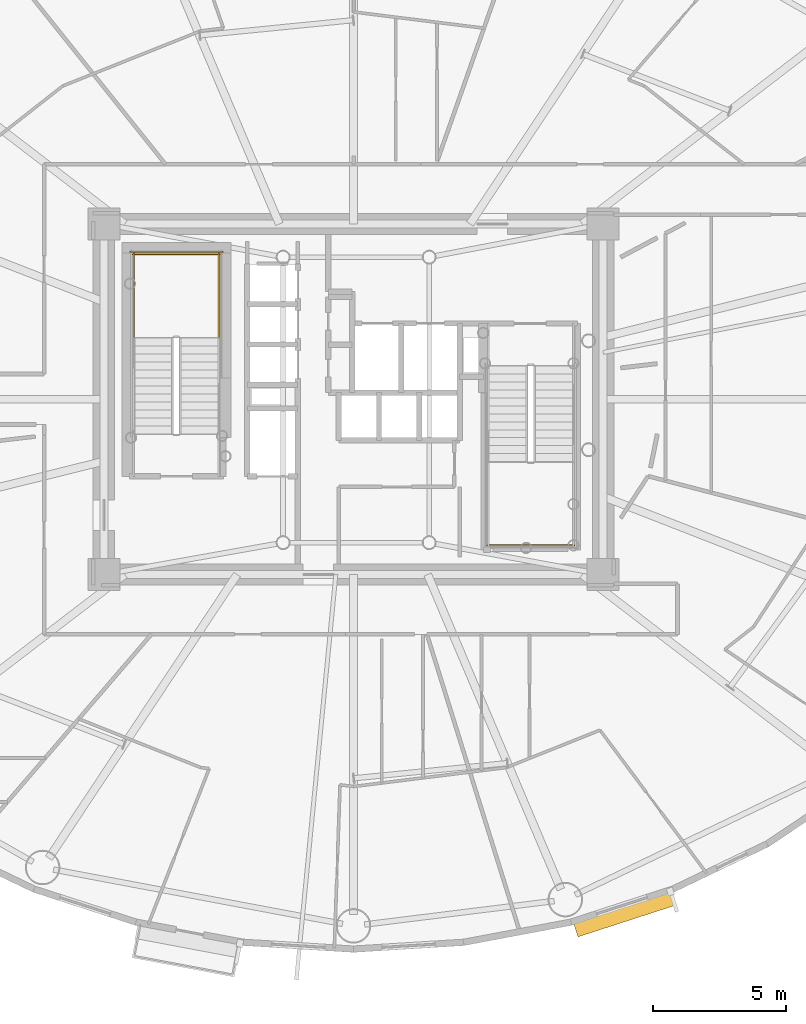
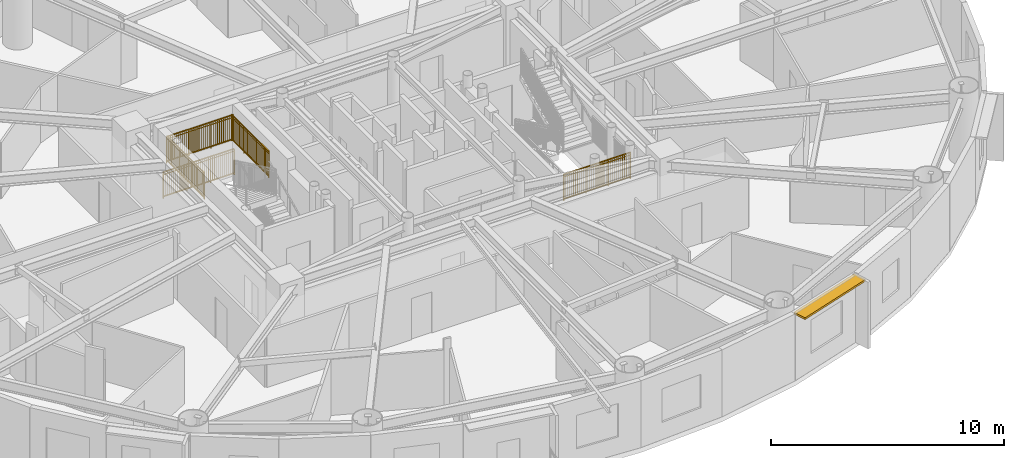
# One storey, part 17 of 19: 5 railings, 1 shading device.
"""IFC4 building model written with IfcOpenShell, lengths in metres."""

from ifc_helpers import new_model, si_unit, direction, frame, origin, origin_2d, place, context, subcontext, project, spatial, rectangle, extrude, source, transform, mapped, material, layer, layer_set, type_object, element, save


model = new_model("IFC4")

# Units and contexts
model_context = context("Model", 3, precision=1e-05, world=origin(), true_north=direction((0.0, 1.0)))
body_context = subcontext(model_context, "Body", "Model", "MODEL_VIEW")
ifc_project = project(units=[si_unit("LENGTHUNIT", "METRE"), si_unit("AREAUNIT", "SQUARE_METRE"), si_unit("VOLUMEUNIT", "CUBIC_METRE"), si_unit("PLANEANGLEUNIT", "RADIAN"), si_unit("MASSUNIT", "GRAM", prefix="KILO")], contexts=[model_context])

# Site, building, storey
site_placement = place(None, origin())
site = spatial("IfcSite", under=ifc_project, at=site_placement, CompositionType="ELEMENT")
building_placement = place(site_placement, origin())
building = spatial("IfcBuilding", under=site, at=building_placement, Name="Linh Dai School and Residence Tower", CompositionType="ELEMENT")
storey_placement = place(building_placement, frame((0.0, 0.0, 174.89990234375)))
storey = spatial("IfcBuildingStorey", under=building, at=storey_placement, Name="L42", CompositionType="ELEMENT", Elevation=174.89990234375)

# Shading device
ifc_material_1 = material(Name="Terracotta Ceramic Sunshade", Category="masonry")
ifc_layer = layer(ifc_material_1, 0.10009765625)
ifc_layer_set = layer_set([ifc_layer], Name="Terracotta Ceramic Sunshade")
shading_device_type = type_object("IfcShadingDeviceType", Name="SHD-TC-650", PredefinedType="USERDEFINED", material=ifc_layer_set)
shared_shape_1 = source(origin(), body_context, "Body", "SweptSolid", [
    extrude(rectangle(XDim=3.876220703125, YDim=0.64990234375, at=origin_2d()), origin(), (0.0, 0.0, 1.0), 0.10009765625),
])
shading_device_placement = place(storey_placement, frame((46.197265625, 7.662353515625, 3.380126953125), z_axis=(0.0, 0.0, 1.0), x_axis=(-0.951212761419, -0.308535707031, 0.0)))
element("IfcShadingDevice", 1, at=shading_device_placement, inside=storey, type_object=shading_device_type, Name="L42 Terracotta Horizontal Sunshade Band 33", ObjectType="SUNSHADE", PredefinedType="USERDEFINED", context=body_context, shape_type="MappedRepresentation", body=[
    mapped(shared_shape_1, transform((0.0, 0.0, 0.0), x_axis=(1.0, 0.0, 0.0), y_axis=(0.0, 1.0, 0.0), z_axis=(0.0, 0.0, 1.0), scale=1.0)),
])

# Railings
ifc_material_2 = material(Name="Structural Steel S355JR", Category="steel")
railing_type = type_object("IfcRailingType", Name="RL-ST-GUARD-1400", PredefinedType="GUARDRAIL", material=ifc_material_2)
shared_shape_2 = source(origin(), body_context, "Body", "SweptSolid", [
    extrude(rectangle(XDim=0.048095703125, YDim=0.048095703125, at=origin_2d()), frame((0.0, 0.0, 1.3759765625), z_axis=(-1.0, 0.0, 0.0), x_axis=(0.0, -1.0, 0.0)), (0.0, 0.0, 1.0), 3.300048828125),
    extrude(rectangle(XDim=0.048095703125, YDim=0.048095703125, at=origin_2d()), frame((0.0, 0.0, 0.10009765625), z_axis=(-1.0, 0.0, 0.0), x_axis=(0.0, -1.0, 0.0)), (0.0, 0.0, 1.0), 3.300048828125),
    extrude(rectangle(XDim=0.030029296875, YDim=0.030029296875, at=origin_2d()), frame((0.0, 0.0, 1.239990234375), z_axis=(-1.0, 0.0, 0.0), x_axis=(0.0, -1.0, 0.0)), (0.0, 0.0, 1.0), 3.300048828125),
    extrude(rectangle(XDim=0.02001953125, YDim=0.02001953125, at=origin_2d()), frame((-0.09716796875, 0.0, 0.10009765625)), (0.0, 0.0, 1.0), 1.251708984375),
    extrude(rectangle(XDim=0.02001953125, YDim=0.02001953125, at=origin_2d()), frame((-0.194091796875, 0.0, 0.10009765625)), (0.0, 0.0, 1.0), 1.251708984375),
    extrude(rectangle(XDim=0.02001953125, YDim=0.02001953125, at=origin_2d()), frame((-0.291259765625, 0.0, 0.10009765625)), (0.0, 0.0, 1.0), 1.251708984375),
    extrude(rectangle(XDim=0.02001953125, YDim=0.02001953125, at=origin_2d()), frame((-0.38818359375, 0.0, 0.10009765625)), (0.0, 0.0, 1.0), 1.251708984375),
    extrude(rectangle(XDim=0.02001953125, YDim=0.02001953125, at=origin_2d()), frame((-0.4853515625, 0.0, 0.10009765625)), (0.0, 0.0, 1.0), 1.251708984375),
    extrude(rectangle(XDim=0.02001953125, YDim=0.02001953125, at=origin_2d()), frame((-0.582275390625, 0.0, 0.10009765625)), (0.0, 0.0, 1.0), 1.251708984375),
    extrude(rectangle(XDim=0.02001953125, YDim=0.02001953125, at=origin_2d()), frame((-0.679443359375, 0.0, 0.10009765625)), (0.0, 0.0, 1.0), 1.251708984375),
    extrude(rectangle(XDim=0.02001953125, YDim=0.02001953125, at=origin_2d()), frame((-0.7763671875, 0.0, 0.10009765625)), (0.0, 0.0, 1.0), 1.251708984375),
    extrude(rectangle(XDim=0.02001953125, YDim=0.02001953125, at=origin_2d()), frame((-0.87353515625, 0.0, 0.10009765625)), (0.0, 0.0, 1.0), 1.251708984375),
    extrude(rectangle(XDim=0.02001953125, YDim=0.02001953125, at=origin_2d()), frame((-0.970703125, 0.0, 0.10009765625)), (0.0, 0.0, 1.0), 1.251708984375),
    extrude(rectangle(XDim=0.02001953125, YDim=0.02001953125, at=origin_2d()), frame((-1.164794921875, 0.0, 0.10009765625)), (0.0, 0.0, 1.0), 1.251708984375),
    extrude(rectangle(XDim=0.02001953125, YDim=0.02001953125, at=origin_2d()), frame((-1.26171875, 0.0, 0.10009765625)), (0.0, 0.0, 1.0), 1.251708984375),
    extrude(rectangle(XDim=0.02001953125, YDim=0.02001953125, at=origin_2d()), frame((-1.35888671875, 0.0, 0.10009765625)), (0.0, 0.0, 1.0), 1.251708984375),
    extrude(rectangle(XDim=0.02001953125, YDim=0.02001953125, at=origin_2d()), frame((-1.455810546875, 0.0, 0.10009765625)), (0.0, 0.0, 1.0), 1.251708984375),
    extrude(rectangle(XDim=0.02001953125, YDim=0.02001953125, at=origin_2d()), frame((-1.552978515625, 0.0, 0.10009765625)), (0.0, 0.0, 1.0), 1.251708984375),
    extrude(rectangle(XDim=0.02001953125, YDim=0.02001953125, at=origin_2d()), frame((-1.64990234375, 0.0, 0.10009765625)), (0.0, 0.0, 1.0), 1.251708984375),
    extrude(rectangle(XDim=0.02001953125, YDim=0.02001953125, at=origin_2d()), frame((-1.7470703125, 0.0, 0.10009765625)), (0.0, 0.0, 1.0), 1.251708984375),
    extrude(rectangle(XDim=0.02001953125, YDim=0.02001953125, at=origin_2d()), frame((-1.84423828125, 0.0, 0.10009765625)), (0.0, 0.0, 1.0), 1.251708984375),
    extrude(rectangle(XDim=0.02001953125, YDim=0.02001953125, at=origin_2d()), frame((-1.941162109375, 0.0, 0.10009765625)), (0.0, 0.0, 1.0), 1.251708984375),
    extrude(rectangle(XDim=0.02001953125, YDim=0.02001953125, at=origin_2d()), frame((-2.038330078125, 0.0, 0.10009765625)), (0.0, 0.0, 1.0), 1.251708984375),
    extrude(rectangle(XDim=0.02001953125, YDim=0.02001953125, at=origin_2d()), frame((-2.13525390625, 0.0, 0.10009765625)), (0.0, 0.0, 1.0), 1.251708984375),
    extrude(rectangle(XDim=0.02001953125, YDim=0.02001953125, at=origin_2d()), frame((-2.329345703125, 0.0, 0.10009765625)), (0.0, 0.0, 1.0), 1.251708984375),
    extrude(rectangle(XDim=0.02001953125, YDim=0.02001953125, at=origin_2d()), frame((-2.426513671875, 0.0, 0.10009765625)), (0.0, 0.0, 1.0), 1.251708984375),
    extrude(rectangle(XDim=0.02001953125, YDim=0.02001953125, at=origin_2d()), frame((-2.523681640625, 0.0, 0.10009765625)), (0.0, 0.0, 1.0), 1.251708984375),
    extrude(rectangle(XDim=0.02001953125, YDim=0.02001953125, at=origin_2d()), frame((-2.62060546875, 0.0, 0.10009765625)), (0.0, 0.0, 1.0), 1.251708984375),
    extrude(rectangle(XDim=0.02001953125, YDim=0.02001953125, at=origin_2d()), frame((-2.7177734375, 0.0, 0.10009765625)), (0.0, 0.0, 1.0), 1.251708984375),
    extrude(rectangle(XDim=0.02001953125, YDim=0.02001953125, at=origin_2d()), frame((-2.814697265625, 0.0, 0.10009765625)), (0.0, 0.0, 1.0), 1.251708984375),
    extrude(rectangle(XDim=0.02001953125, YDim=0.02001953125, at=origin_2d()), frame((-2.911865234375, 0.0, 0.10009765625)), (0.0, 0.0, 1.0), 1.251708984375),
    extrude(rectangle(XDim=0.02001953125, YDim=0.02001953125, at=origin_2d()), frame((-3.0087890625, 0.0, 0.10009765625)), (0.0, 0.0, 1.0), 1.251708984375),
    extrude(rectangle(XDim=0.02001953125, YDim=0.02001953125, at=origin_2d()), frame((-3.10595703125, 0.0, 0.10009765625)), (0.0, 0.0, 1.0), 1.251708984375),
    extrude(rectangle(XDim=0.02001953125, YDim=0.02001953125, at=origin_2d()), frame((-3.202880859375, 0.0, 0.10009765625)), (0.0, 0.0, 1.0), 1.251708984375),
    extrude(rectangle(XDim=0.0419921875, YDim=0.0419921875, at=origin_2d()), origin(), (0.0, 0.0, 1.0), 1.3759765625),
    extrude(rectangle(XDim=0.0419921875, YDim=0.0419921875, at=origin_2d()), frame((-1.10009765625, 0.0, 0.0)), (0.0, 0.0, 1.0), 1.3759765625),
    extrude(rectangle(XDim=0.0419921875, YDim=0.0419921875, at=origin_2d()), frame((-2.199951171875, 0.0, 0.0)), (0.0, 0.0, 1.0), 1.3759765625),
    extrude(rectangle(XDim=0.0419921875, YDim=0.0419921875, at=origin_2d()), frame((-3.300048828125, 0.0, 0.0)), (0.0, 0.0, 1.0), 1.3759765625),
])
railing_1_placement = place(storey_placement, frame((30.97998046875, 32.449951171875, 1.875)))
element("IfcRailing", 2, at=railing_1_placement, inside=storey, type_object=railing_type, Name="L42 ST1 stair guard 5", PredefinedType="GUARDRAIL", context=body_context, shape_type="MappedRepresentation", body=[
    mapped(shared_shape_2, transform((0.0, 0.0, 0.0), x_axis=(1.0, 0.0, 0.0), y_axis=(0.0, 1.0, 0.0), z_axis=(0.0, 0.0, 1.0), scale=1.0)),
])
shared_shape_3 = source(origin(), body_context, "Body", "SweptSolid", [
    extrude(rectangle(XDim=0.048095703125, YDim=0.048095703125, at=origin_2d()), frame((0.0, 0.0, 1.3759765625), z_axis=(-1.0, 0.0, 0.0), x_axis=(0.0, -1.0, 0.0)), (0.0, 0.0, 1.0), 3.5),
    extrude(rectangle(XDim=0.048095703125, YDim=0.048095703125, at=origin_2d()), frame((0.0, 0.0, 0.10009765625), z_axis=(-1.0, 0.0, 0.0), x_axis=(0.0, -1.0, 0.0)), (0.0, 0.0, 1.0), 3.5),
    extrude(rectangle(XDim=0.030029296875, YDim=0.030029296875, at=origin_2d()), frame((0.0, 0.0, 1.239990234375), z_axis=(-1.0, 0.0, 0.0), x_axis=(0.0, -1.0, 0.0)), (0.0, 0.0, 1.0), 3.5),
    extrude(rectangle(XDim=0.02001953125, YDim=0.02001953125, at=origin_2d()), frame((-0.09716796875, 0.0, 0.10009765625)), (0.0, 0.0, 1.0), 1.251708984375),
    extrude(rectangle(XDim=0.02001953125, YDim=0.02001953125, at=origin_2d()), frame((-0.1943359375, 0.0, 0.10009765625)), (0.0, 0.0, 1.0), 1.251708984375),
    extrude(rectangle(XDim=0.02001953125, YDim=0.02001953125, at=origin_2d()), frame((-0.291748046875, 0.0, 0.10009765625)), (0.0, 0.0, 1.0), 1.251708984375),
    extrude(rectangle(XDim=0.02001953125, YDim=0.02001953125, at=origin_2d()), frame((-0.388916015625, 0.0, 0.10009765625)), (0.0, 0.0, 1.0), 1.251708984375),
    extrude(rectangle(XDim=0.02001953125, YDim=0.02001953125, at=origin_2d()), frame((-0.486083984375, 0.0, 0.10009765625)), (0.0, 0.0, 1.0), 1.251708984375),
    extrude(rectangle(XDim=0.02001953125, YDim=0.02001953125, at=origin_2d()), frame((-0.583251953125, 0.0, 0.10009765625)), (0.0, 0.0, 1.0), 1.251708984375),
    extrude(rectangle(XDim=0.02001953125, YDim=0.02001953125, at=origin_2d()), frame((-0.6806640625, 0.0, 0.10009765625)), (0.0, 0.0, 1.0), 1.251708984375),
    extrude(rectangle(XDim=0.02001953125, YDim=0.02001953125, at=origin_2d()), frame((-0.77783203125, 0.0, 0.10009765625)), (0.0, 0.0, 1.0), 1.251708984375),
    extrude(rectangle(XDim=0.02001953125, YDim=0.02001953125, at=origin_2d()), frame((-0.875, 0.0, 0.10009765625)), (0.0, 0.0, 1.0), 1.251708984375),
    extrude(rectangle(XDim=0.02001953125, YDim=0.02001953125, at=origin_2d()), frame((-0.97216796875, 0.0, 0.10009765625)), (0.0, 0.0, 1.0), 1.251708984375),
    extrude(rectangle(XDim=0.02001953125, YDim=0.02001953125, at=origin_2d()), frame((-1.0693359375, 0.0, 0.10009765625)), (0.0, 0.0, 1.0), 1.251708984375),
    extrude(rectangle(XDim=0.02001953125, YDim=0.02001953125, at=origin_2d()), frame((-1.263916015625, 0.0, 0.10009765625)), (0.0, 0.0, 1.0), 1.251708984375),
    extrude(rectangle(XDim=0.02001953125, YDim=0.02001953125, at=origin_2d()), frame((-1.361083984375, 0.0, 0.10009765625)), (0.0, 0.0, 1.0), 1.251708984375),
    extrude(rectangle(XDim=0.02001953125, YDim=0.02001953125, at=origin_2d()), frame((-1.458251953125, 0.0, 0.10009765625)), (0.0, 0.0, 1.0), 1.251708984375),
    extrude(rectangle(XDim=0.02001953125, YDim=0.02001953125, at=origin_2d()), frame((-1.5556640625, 0.0, 0.10009765625)), (0.0, 0.0, 1.0), 1.251708984375),
    extrude(rectangle(XDim=0.02001953125, YDim=0.02001953125, at=origin_2d()), frame((-1.65283203125, 0.0, 0.10009765625)), (0.0, 0.0, 1.0), 1.251708984375),
    extrude(rectangle(XDim=0.02001953125, YDim=0.02001953125, at=origin_2d()), frame((-1.75, 0.0, 0.10009765625)), (0.0, 0.0, 1.0), 1.251708984375),
    extrude(rectangle(XDim=0.02001953125, YDim=0.02001953125, at=origin_2d()), frame((-1.84716796875, 0.0, 0.10009765625)), (0.0, 0.0, 1.0), 1.251708984375),
    extrude(rectangle(XDim=0.02001953125, YDim=0.02001953125, at=origin_2d()), frame((-1.9443359375, 0.0, 0.10009765625)), (0.0, 0.0, 1.0), 1.251708984375),
    extrude(rectangle(XDim=0.02001953125, YDim=0.02001953125, at=origin_2d()), frame((-2.041748046875, 0.0, 0.10009765625)), (0.0, 0.0, 1.0), 1.251708984375),
    extrude(rectangle(XDim=0.02001953125, YDim=0.02001953125, at=origin_2d()), frame((-2.138916015625, 0.0, 0.10009765625)), (0.0, 0.0, 1.0), 1.251708984375),
    extrude(rectangle(XDim=0.02001953125, YDim=0.02001953125, at=origin_2d()), frame((-2.236083984375, 0.0, 0.10009765625)), (0.0, 0.0, 1.0), 1.251708984375),
    extrude(rectangle(XDim=0.02001953125, YDim=0.02001953125, at=origin_2d()), frame((-2.4306640625, 0.0, 0.10009765625)), (0.0, 0.0, 1.0), 1.251708984375),
    extrude(rectangle(XDim=0.02001953125, YDim=0.02001953125, at=origin_2d()), frame((-2.52783203125, 0.0, 0.10009765625)), (0.0, 0.0, 1.0), 1.251708984375),
    extrude(rectangle(XDim=0.02001953125, YDim=0.02001953125, at=origin_2d()), frame((-2.625, 0.0, 0.10009765625)), (0.0, 0.0, 1.0), 1.251708984375),
    extrude(rectangle(XDim=0.02001953125, YDim=0.02001953125, at=origin_2d()), frame((-2.72216796875, 0.0, 0.10009765625)), (0.0, 0.0, 1.0), 1.251708984375),
    extrude(rectangle(XDim=0.02001953125, YDim=0.02001953125, at=origin_2d()), frame((-2.8193359375, 0.0, 0.10009765625)), (0.0, 0.0, 1.0), 1.251708984375),
    extrude(rectangle(XDim=0.02001953125, YDim=0.02001953125, at=origin_2d()), frame((-2.916748046875, 0.0, 0.10009765625)), (0.0, 0.0, 1.0), 1.251708984375),
    extrude(rectangle(XDim=0.02001953125, YDim=0.02001953125, at=origin_2d()), frame((-3.013916015625, 0.0, 0.10009765625)), (0.0, 0.0, 1.0), 1.251708984375),
    extrude(rectangle(XDim=0.02001953125, YDim=0.02001953125, at=origin_2d()), frame((-3.111083984375, 0.0, 0.10009765625)), (0.0, 0.0, 1.0), 1.251708984375),
    extrude(rectangle(XDim=0.02001953125, YDim=0.02001953125, at=origin_2d()), frame((-3.208251953125, 0.0, 0.10009765625)), (0.0, 0.0, 1.0), 1.251708984375),
    extrude(rectangle(XDim=0.02001953125, YDim=0.02001953125, at=origin_2d()), frame((-3.3056640625, 0.0, 0.10009765625)), (0.0, 0.0, 1.0), 1.251708984375),
    extrude(rectangle(XDim=0.02001953125, YDim=0.02001953125, at=origin_2d()), frame((-3.40283203125, 0.0, 0.10009765625)), (0.0, 0.0, 1.0), 1.251708984375),
    extrude(rectangle(XDim=0.0419921875, YDim=0.0419921875, at=origin_2d()), origin(), (0.0, 0.0, 1.0), 1.3759765625),
    extrude(rectangle(XDim=0.0419921875, YDim=0.0419921875, at=origin_2d()), frame((-1.166748046875, 0.0, 0.0)), (0.0, 0.0, 1.0), 1.3759765625),
    extrude(rectangle(XDim=0.0419921875, YDim=0.0419921875, at=origin_2d()), frame((-2.333251953125, 0.0, 0.0)), (0.0, 0.0, 1.0), 1.3759765625),
    extrude(rectangle(XDim=0.0419921875, YDim=0.0419921875, at=origin_2d()), frame((-3.5, 0.0, 0.0)), (0.0, 0.0, 1.0), 1.3759765625),
])
railing_2_placement = place(storey_placement, frame((31.080078125, 32.550048828125, 0.0)))
element("IfcRailing", 3, at=railing_2_placement, inside=storey, type_object=railing_type, Name="L42 ST1 stair guard 12", PredefinedType="GUARDRAIL", context=body_context, shape_type="MappedRepresentation", body=[
    mapped(shared_shape_3, transform((0.0, 0.0, 0.0), x_axis=(1.0, 0.0, 0.0), y_axis=(0.0, 1.0, 0.0), z_axis=(0.0, 0.0, 1.0), scale=1.0)),
])
shared_shape_4 = source(origin(), body_context, "Body", "SweptSolid", [
    extrude(rectangle(XDim=0.048095703125, YDim=0.048095703125, at=origin_2d()), frame((0.0, 0.0, 1.3759765625), z_axis=(0.0, 1.0, 0.0), x_axis=(-1.0, 0.0, 0.0)), (0.0, 0.0, 1.0), 3.199951171875),
    extrude(rectangle(XDim=0.048095703125, YDim=0.048095703125, at=origin_2d()), frame((0.0, 0.0, 0.10009765625), z_axis=(0.0, 1.0, 0.0), x_axis=(-1.0, 0.0, 0.0)), (0.0, 0.0, 1.0), 3.199951171875),
    extrude(rectangle(XDim=0.030029296875, YDim=0.030029296875, at=origin_2d()), frame((0.0, 0.0, 1.239990234375), z_axis=(0.0, 1.0, 0.0), x_axis=(-1.0, 0.0, 0.0)), (0.0, 0.0, 1.0), 3.199951171875),
    extrude(rectangle(XDim=0.02001953125, YDim=0.02001953125, at=origin_2d()), frame((0.0, 0.096923828125, 0.10009765625)), (0.0, 0.0, 1.0), 1.251708984375),
    extrude(rectangle(XDim=0.02001953125, YDim=0.02001953125, at=origin_2d()), frame((0.0, 0.19384765625, 0.10009765625)), (0.0, 0.0, 1.0), 1.251708984375),
    extrude(rectangle(XDim=0.02001953125, YDim=0.02001953125, at=origin_2d()), frame((0.0, 0.291015625, 0.10009765625)), (0.0, 0.0, 1.0), 1.251708984375),
    extrude(rectangle(XDim=0.02001953125, YDim=0.02001953125, at=origin_2d()), frame((0.0, 0.387939453125, 0.10009765625)), (0.0, 0.0, 1.0), 1.251708984375),
    extrude(rectangle(XDim=0.02001953125, YDim=0.02001953125, at=origin_2d()), frame((0.0, 0.48486328125, 0.10009765625)), (0.0, 0.0, 1.0), 1.251708984375),
    extrude(rectangle(XDim=0.02001953125, YDim=0.02001953125, at=origin_2d()), frame((0.0, 0.581787109375, 0.10009765625)), (0.0, 0.0, 1.0), 1.251708984375),
    extrude(rectangle(XDim=0.02001953125, YDim=0.02001953125, at=origin_2d()), frame((0.0, 0.6787109375, 0.10009765625)), (0.0, 0.0, 1.0), 1.251708984375),
    extrude(rectangle(XDim=0.02001953125, YDim=0.02001953125, at=origin_2d()), frame((0.0, 0.775634765625, 0.10009765625)), (0.0, 0.0, 1.0), 1.251708984375),
    extrude(rectangle(XDim=0.02001953125, YDim=0.02001953125, at=origin_2d()), frame((0.0, 0.872802734375, 0.10009765625)), (0.0, 0.0, 1.0), 1.251708984375),
    extrude(rectangle(XDim=0.02001953125, YDim=0.02001953125, at=origin_2d()), frame((0.0, 0.9697265625, 0.10009765625)), (0.0, 0.0, 1.0), 1.251708984375),
    extrude(rectangle(XDim=0.02001953125, YDim=0.02001953125, at=origin_2d()), frame((0.0, 1.16357421875, 0.10009765625)), (0.0, 0.0, 1.0), 1.251708984375),
    extrude(rectangle(XDim=0.02001953125, YDim=0.02001953125, at=origin_2d()), frame((0.0, 1.260498046875, 0.10009765625)), (0.0, 0.0, 1.0), 1.251708984375),
    extrude(rectangle(XDim=0.02001953125, YDim=0.02001953125, at=origin_2d()), frame((0.0, 1.357666015625, 0.10009765625)), (0.0, 0.0, 1.0), 1.251708984375),
    extrude(rectangle(XDim=0.02001953125, YDim=0.02001953125, at=origin_2d()), frame((0.0, 1.45458984375, 0.10009765625)), (0.0, 0.0, 1.0), 1.251708984375),
    extrude(rectangle(XDim=0.02001953125, YDim=0.02001953125, at=origin_2d()), frame((0.0, 1.551513671875, 0.10009765625)), (0.0, 0.0, 1.0), 1.251708984375),
    extrude(rectangle(XDim=0.02001953125, YDim=0.02001953125, at=origin_2d()), frame((0.0, 1.6484375, 0.10009765625)), (0.0, 0.0, 1.0), 1.251708984375),
    extrude(rectangle(XDim=0.02001953125, YDim=0.02001953125, at=origin_2d()), frame((0.0, 1.745361328125, 0.10009765625)), (0.0, 0.0, 1.0), 1.251708984375),
    extrude(rectangle(XDim=0.02001953125, YDim=0.02001953125, at=origin_2d()), frame((0.0, 1.84228515625, 0.10009765625)), (0.0, 0.0, 1.0), 1.251708984375),
    extrude(rectangle(XDim=0.02001953125, YDim=0.02001953125, at=origin_2d()), frame((0.0, 1.939453125, 0.10009765625)), (0.0, 0.0, 1.0), 1.251708984375),
    extrude(rectangle(XDim=0.02001953125, YDim=0.02001953125, at=origin_2d()), frame((0.0, 2.036376953125, 0.10009765625)), (0.0, 0.0, 1.0), 1.251708984375),
    extrude(rectangle(XDim=0.02001953125, YDim=0.02001953125, at=origin_2d()), frame((0.0, 2.230224609375, 0.10009765625)), (0.0, 0.0, 1.0), 1.251708984375),
    extrude(rectangle(XDim=0.02001953125, YDim=0.02001953125, at=origin_2d()), frame((0.0, 2.3271484375, 0.10009765625)), (0.0, 0.0, 1.0), 1.251708984375),
    extrude(rectangle(XDim=0.02001953125, YDim=0.02001953125, at=origin_2d()), frame((0.0, 2.42431640625, 0.10009765625)), (0.0, 0.0, 1.0), 1.251708984375),
    extrude(rectangle(XDim=0.02001953125, YDim=0.02001953125, at=origin_2d()), frame((0.0, 2.521240234375, 0.10009765625)), (0.0, 0.0, 1.0), 1.251708984375),
    extrude(rectangle(XDim=0.02001953125, YDim=0.02001953125, at=origin_2d()), frame((0.0, 2.6181640625, 0.10009765625)), (0.0, 0.0, 1.0), 1.251708984375),
    extrude(rectangle(XDim=0.02001953125, YDim=0.02001953125, at=origin_2d()), frame((0.0, 2.715087890625, 0.10009765625)), (0.0, 0.0, 1.0), 1.251708984375),
    extrude(rectangle(XDim=0.02001953125, YDim=0.02001953125, at=origin_2d()), frame((0.0, 2.81201171875, 0.10009765625)), (0.0, 0.0, 1.0), 1.251708984375),
    extrude(rectangle(XDim=0.02001953125, YDim=0.02001953125, at=origin_2d()), frame((0.0, 2.908935546875, 0.10009765625)), (0.0, 0.0, 1.0), 1.251708984375),
    extrude(rectangle(XDim=0.02001953125, YDim=0.02001953125, at=origin_2d()), frame((0.0, 3.006103515625, 0.10009765625)), (0.0, 0.0, 1.0), 1.251708984375),
    extrude(rectangle(XDim=0.02001953125, YDim=0.02001953125, at=origin_2d()), frame((0.0, 3.10302734375, 0.10009765625)), (0.0, 0.0, 1.0), 1.251708984375),
    extrude(rectangle(XDim=0.0419921875, YDim=0.0419921875, at=origin_2d()), origin(), (0.0, 0.0, 1.0), 1.3759765625),
    extrude(rectangle(XDim=0.0419921875, YDim=0.0419921875, at=origin_2d()), frame((0.0, 1.066650390625, 0.0)), (0.0, 0.0, 1.0), 1.3759765625),
    extrude(rectangle(XDim=0.0419921875, YDim=0.0419921875, at=origin_2d()), frame((0.0, 2.13330078125, 0.0)), (0.0, 0.0, 1.0), 1.3759765625),
    extrude(rectangle(XDim=0.0419921875, YDim=0.0419921875, at=origin_2d()), frame((0.0, 3.199951171875, 0.0)), (0.0, 0.0, 1.0), 1.3759765625),
])
for number, where, name in (
    (4, (30.929931640625, 29.300048828125, 1.875), "L42 ST1 stair guard 3"),
    (5, (27.72998046875, 29.300048828125, 1.875), "L42 ST1 stair guard 4"),
):
    element("IfcRailing", number, at=place(storey_placement, frame(where)), inside=storey, type_object=railing_type, Name=name, PredefinedType="GUARDRAIL", context=body_context, shape_type="MappedRepresentation", body=[
        mapped(shared_shape_4, transform((0.0, 0.0, 0.0), x_axis=(1.0, 0.0, 0.0), y_axis=(0.0, 1.0, 0.0), z_axis=(0.0, 0.0, 1.0), scale=1.0)),
    ])
shared_shape_5 = source(origin(), body_context, "Body", "SweptSolid", [
    extrude(rectangle(XDim=0.048095703125, YDim=0.048095703125, at=origin_2d()), frame((0.0, 0.0, 1.3759765625), z_axis=(1.0, 0.0, 0.0), x_axis=(0.0, 1.0, 0.0)), (0.0, 0.0, 1.0), 3.300048828125),
    extrude(rectangle(XDim=0.048095703125, YDim=0.048095703125, at=origin_2d()), frame((0.0, 0.0, 0.10009765625), z_axis=(1.0, 0.0, 0.0), x_axis=(0.0, 1.0, 0.0)), (0.0, 0.0, 1.0), 3.300048828125),
    extrude(rectangle(XDim=0.030029296875, YDim=0.030029296875, at=origin_2d()), frame((0.0, 0.0, 1.239990234375), z_axis=(1.0, 0.0, 0.0), x_axis=(0.0, 1.0, 0.0)), (0.0, 0.0, 1.0), 3.300048828125),
    extrude(rectangle(XDim=0.02001953125, YDim=0.02001953125, at=origin_2d()), frame((0.09716796875, 0.0, 0.10009765625)), (0.0, 0.0, 1.0), 1.251708984375),
    extrude(rectangle(XDim=0.02001953125, YDim=0.02001953125, at=origin_2d()), frame((0.194091796875, 0.0, 0.10009765625)), (0.0, 0.0, 1.0), 1.251708984375),
    extrude(rectangle(XDim=0.02001953125, YDim=0.02001953125, at=origin_2d()), frame((0.291259765625, 0.0, 0.10009765625)), (0.0, 0.0, 1.0), 1.251708984375),
    extrude(rectangle(XDim=0.02001953125, YDim=0.02001953125, at=origin_2d()), frame((0.38818359375, 0.0, 0.10009765625)), (0.0, 0.0, 1.0), 1.251708984375),
    extrude(rectangle(XDim=0.02001953125, YDim=0.02001953125, at=origin_2d()), frame((0.4853515625, 0.0, 0.10009765625)), (0.0, 0.0, 1.0), 1.251708984375),
    extrude(rectangle(XDim=0.02001953125, YDim=0.02001953125, at=origin_2d()), frame((0.582275390625, 0.0, 0.10009765625)), (0.0, 0.0, 1.0), 1.251708984375),
    extrude(rectangle(XDim=0.02001953125, YDim=0.02001953125, at=origin_2d()), frame((0.679443359375, 0.0, 0.10009765625)), (0.0, 0.0, 1.0), 1.251708984375),
    extrude(rectangle(XDim=0.02001953125, YDim=0.02001953125, at=origin_2d()), frame((0.7763671875, 0.0, 0.10009765625)), (0.0, 0.0, 1.0), 1.251708984375),
    extrude(rectangle(XDim=0.02001953125, YDim=0.02001953125, at=origin_2d()), frame((0.87353515625, 0.0, 0.10009765625)), (0.0, 0.0, 1.0), 1.251708984375),
    extrude(rectangle(XDim=0.02001953125, YDim=0.02001953125, at=origin_2d()), frame((0.970703125, 0.0, 0.10009765625)), (0.0, 0.0, 1.0), 1.251708984375),
    extrude(rectangle(XDim=0.02001953125, YDim=0.02001953125, at=origin_2d()), frame((1.164794921875, 0.0, 0.10009765625)), (0.0, 0.0, 1.0), 1.251708984375),
    extrude(rectangle(XDim=0.02001953125, YDim=0.02001953125, at=origin_2d()), frame((1.26171875, 0.0, 0.10009765625)), (0.0, 0.0, 1.0), 1.251708984375),
    extrude(rectangle(XDim=0.02001953125, YDim=0.02001953125, at=origin_2d()), frame((1.35888671875, 0.0, 0.10009765625)), (0.0, 0.0, 1.0), 1.251708984375),
    extrude(rectangle(XDim=0.02001953125, YDim=0.02001953125, at=origin_2d()), frame((1.455810546875, 0.0, 0.10009765625)), (0.0, 0.0, 1.0), 1.251708984375),
    extrude(rectangle(XDim=0.02001953125, YDim=0.02001953125, at=origin_2d()), frame((1.552978515625, 0.0, 0.10009765625)), (0.0, 0.0, 1.0), 1.251708984375),
    extrude(rectangle(XDim=0.02001953125, YDim=0.02001953125, at=origin_2d()), frame((1.64990234375, 0.0, 0.10009765625)), (0.0, 0.0, 1.0), 1.251708984375),
    extrude(rectangle(XDim=0.02001953125, YDim=0.02001953125, at=origin_2d()), frame((1.7470703125, 0.0, 0.10009765625)), (0.0, 0.0, 1.0), 1.251708984375),
    extrude(rectangle(XDim=0.02001953125, YDim=0.02001953125, at=origin_2d()), frame((1.84423828125, 0.0, 0.10009765625)), (0.0, 0.0, 1.0), 1.251708984375),
    extrude(rectangle(XDim=0.02001953125, YDim=0.02001953125, at=origin_2d()), frame((1.941162109375, 0.0, 0.10009765625)), (0.0, 0.0, 1.0), 1.251708984375),
    extrude(rectangle(XDim=0.02001953125, YDim=0.02001953125, at=origin_2d()), frame((2.038330078125, 0.0, 0.10009765625)), (0.0, 0.0, 1.0), 1.251708984375),
    extrude(rectangle(XDim=0.02001953125, YDim=0.02001953125, at=origin_2d()), frame((2.13525390625, 0.0, 0.10009765625)), (0.0, 0.0, 1.0), 1.251708984375),
    extrude(rectangle(XDim=0.02001953125, YDim=0.02001953125, at=origin_2d()), frame((2.329345703125, 0.0, 0.10009765625)), (0.0, 0.0, 1.0), 1.251708984375),
    extrude(rectangle(XDim=0.02001953125, YDim=0.02001953125, at=origin_2d()), frame((2.426513671875, 0.0, 0.10009765625)), (0.0, 0.0, 1.0), 1.251708984375),
    extrude(rectangle(XDim=0.02001953125, YDim=0.02001953125, at=origin_2d()), frame((2.523681640625, 0.0, 0.10009765625)), (0.0, 0.0, 1.0), 1.251708984375),
    extrude(rectangle(XDim=0.02001953125, YDim=0.02001953125, at=origin_2d()), frame((2.62060546875, 0.0, 0.10009765625)), (0.0, 0.0, 1.0), 1.251708984375),
    extrude(rectangle(XDim=0.02001953125, YDim=0.02001953125, at=origin_2d()), frame((2.7177734375, 0.0, 0.10009765625)), (0.0, 0.0, 1.0), 1.251708984375),
    extrude(rectangle(XDim=0.02001953125, YDim=0.02001953125, at=origin_2d()), frame((2.814697265625, 0.0, 0.10009765625)), (0.0, 0.0, 1.0), 1.251708984375),
    extrude(rectangle(XDim=0.02001953125, YDim=0.02001953125, at=origin_2d()), frame((2.911865234375, 0.0, 0.10009765625)), (0.0, 0.0, 1.0), 1.251708984375),
    extrude(rectangle(XDim=0.02001953125, YDim=0.02001953125, at=origin_2d()), frame((3.0087890625, 0.0, 0.10009765625)), (0.0, 0.0, 1.0), 1.251708984375),
    extrude(rectangle(XDim=0.02001953125, YDim=0.02001953125, at=origin_2d()), frame((3.10595703125, 0.0, 0.10009765625)), (0.0, 0.0, 1.0), 1.251708984375),
    extrude(rectangle(XDim=0.02001953125, YDim=0.02001953125, at=origin_2d()), frame((3.202880859375, 0.0, 0.10009765625)), (0.0, 0.0, 1.0), 1.251708984375),
    extrude(rectangle(XDim=0.0419921875, YDim=0.0419921875, at=origin_2d()), origin(), (0.0, 0.0, 1.0), 1.3759765625),
    extrude(rectangle(XDim=0.0419921875, YDim=0.0419921875, at=origin_2d()), frame((1.10009765625, 0.0, 0.0)), (0.0, 0.0, 1.0), 1.3759765625),
    extrude(rectangle(XDim=0.0419921875, YDim=0.0419921875, at=origin_2d()), frame((2.199951171875, 0.0, 0.0)), (0.0, 0.0, 1.0), 1.3759765625),
    extrude(rectangle(XDim=0.0419921875, YDim=0.0419921875, at=origin_2d()), frame((3.300048828125, 0.0, 0.0)), (0.0, 0.0, 1.0), 1.3759765625),
])
railing_3_placement = place(storey_placement, frame((41.02001953125, 21.5, 1.875)))
element("IfcRailing", 6, at=railing_3_placement, inside=storey, type_object=railing_type, Name="L42 ST2 stair guard 5", PredefinedType="GUARDRAIL", context=body_context, shape_type="MappedRepresentation", body=[
    mapped(shared_shape_5, transform((0.0, 0.0, 0.0), x_axis=(1.0, 0.0, 0.0), y_axis=(0.0, 1.0, 0.0), z_axis=(0.0, 0.0, 1.0), scale=1.0)),
])

save(model, "model.ifc")
